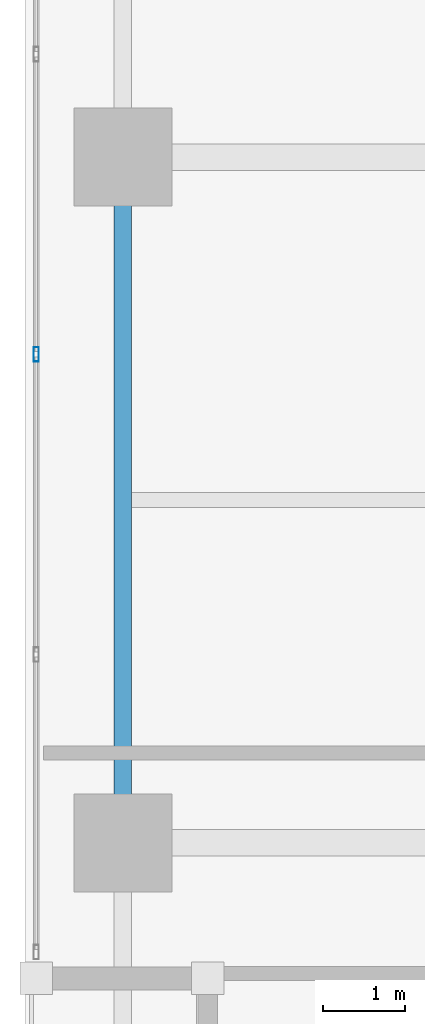
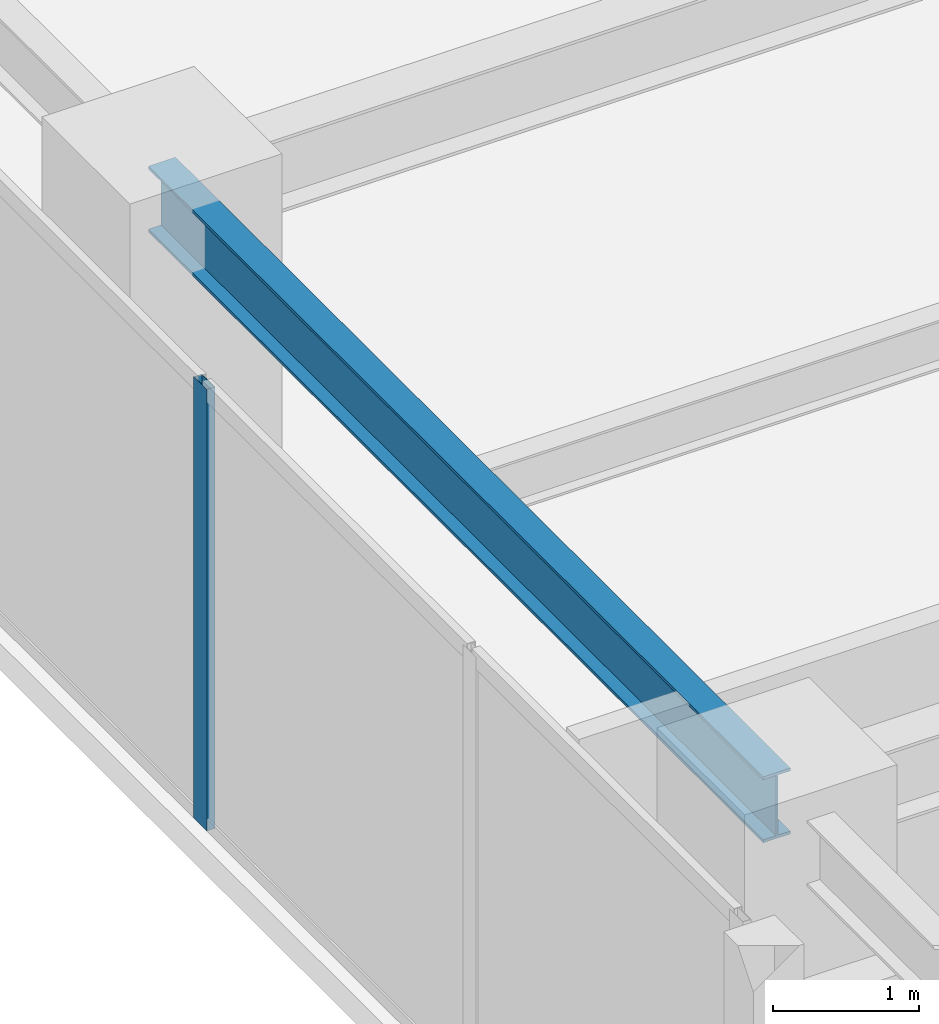
# One storey, part 5 of 30: 1 beam, 1 member, 1 element without a shape of its own.
"""IFC4 building model written with IfcOpenShell, lengths in metres."""

from ifc_helpers import new_model, si_unit, direction, frame, origin, origin_2d, place, context, subcontext, project, spatial, hollow_rectangle, i_section, extrude, material, layer, layer_set, material_profile, profile_set, type_object, element, aggregate, save


model = new_model("IFC4")

# Units and contexts
model_context = context("Model", 3, precision=1e-05, world=origin(), true_north=direction((0.0, 1.0)))
body_context = subcontext(model_context, "Body", "Model", "MODEL_VIEW")
ifc_project = project(units=[si_unit("LENGTHUNIT", "METRE"), si_unit("AREAUNIT", "SQUARE_METRE"), si_unit("VOLUMEUNIT", "CUBIC_METRE"), si_unit("PLANEANGLEUNIT", "RADIAN"), si_unit("MASSUNIT", "GRAM", prefix="KILO")], contexts=[model_context])

# Site, building, storey
site_placement = place(None, origin())
site = spatial("IfcSite", under=ifc_project, at=site_placement, CompositionType="ELEMENT")
building_placement = place(site_placement, origin())
building = spatial("IfcBuilding", under=site, at=building_placement, Name="Kiyonajd Concourse Tower", CompositionType="ELEMENT")
storey_placement = place(building_placement, frame((0.0, 0.0, 198.0)))
storey = spatial("IfcBuildingStorey", under=building, at=storey_placement, Name="L50", CompositionType="ELEMENT", Elevation=198.0)

# Beam
ifc_material_1 = material(Name="Steel ASTM A992 Grade 50", Category="steel")
ifc_material_profile_1 = material_profile(ifc_material_1, i_section(OverallWidth=0.214111328125, OverallDepth=0.549072265625, WebThickness=0.0146484375, FlangeThickness=0.023681640625, at=origin_2d()), Name="W530X138")
ifc_profile_set_1 = profile_set([ifc_material_profile_1], Name="Steel ASTM A992 Grade 50")
beam_type = type_object("IfcBeamType", Name="BM-SPAN-530A", PredefinedType="SPANDREL", material=ifc_profile_set_1)
beam_placement = place(storey_placement, frame((19.199951171875, 44.39990234375, 3.405517578125), z_axis=(0.0, -1.0, 0.0), x_axis=(1.0, 0.0, 0.0)))
element("IfcBeam", 1, at=beam_placement, inside=storey, type_object=beam_type, Name="L50 Perimeter Bundled Tube Spandrel", PredefinedType="SPANDREL", context=body_context, shape_type="SweptSolid", body=[
    extrude(i_section(OverallWidth=0.214111328125, OverallDepth=0.549072265625, WebThickness=0.0146484375, FlangeThickness=0.023681640625, at=origin_2d()), origin(), (0.0, 0.0, 1.0), 8.39990234375),
])

# Curtain wall, member
ifc_material_2 = material(Name="Thermally Broken Anodised Aluminium", Category="aluminium")
ifc_layer = layer(ifc_material_2, 0.179931640625)
ifc_layer_set = layer_set([ifc_layer], Name="Thermally Broken Anodised Aluminium")
curtain_wall_type = type_object("IfcCurtainWallType", Name="CW-SYS-03", PredefinedType="NOTDEFINED", material=ifc_layer_set)
curtain_wall_placement = place(storey_placement, origin())
curtain_wall = element("IfcCurtainWall", 2, at=curtain_wall_placement, inside=storey, type_object=curtain_wall_type, Name="L50 Unitised Curtain Wall CW3", PredefinedType="NOTDEFINED")
ifc_material_profile_2 = material_profile(ifc_material_2, hollow_rectangle(XDim=0.06494140625, YDim=0.179931640625, WallThickness=0.00390625, at=origin_2d()), Name="MULL-65x180")
ifc_profile_set_2 = profile_set([ifc_material_profile_2], Name="Thermally Broken Anodised Aluminium")
member_type = type_object("IfcMemberType", Name="MB-CW-MULL1", PredefinedType="MULLION", material=ifc_profile_set_2)
member_placement = place(storey_placement, frame((18.139892578125, 41.98388671875, 0.0), z_axis=(0.0, 0.0, 1.0), x_axis=(-1.0, 0.0, 0.0)))
member = element("IfcMember", 3, at=member_placement, type_object=member_type, Name="CW3 mullion 3", PredefinedType="MULLION", context=body_context, shape_type="SweptSolid", body=[
    extrude(hollow_rectangle(XDim=0.06494140625, YDim=0.179931640625, WallThickness=0.00390625, at=origin_2d()), origin(), (0.0, 0.0, 1.0), 3.679931640625),
])
aggregate(curtain_wall, [member])

save(model, "model.ifc")
